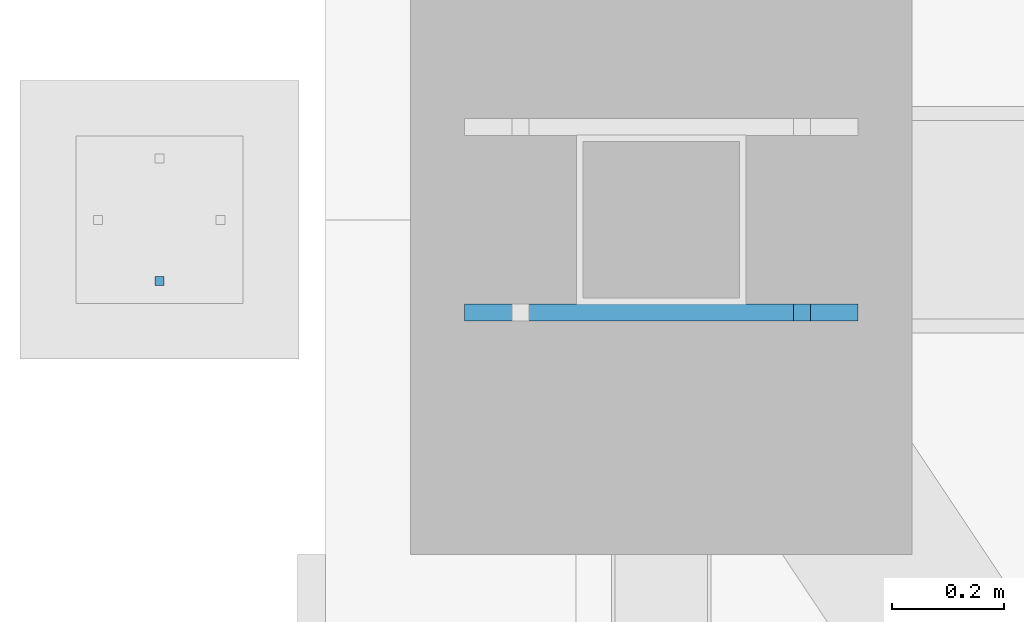
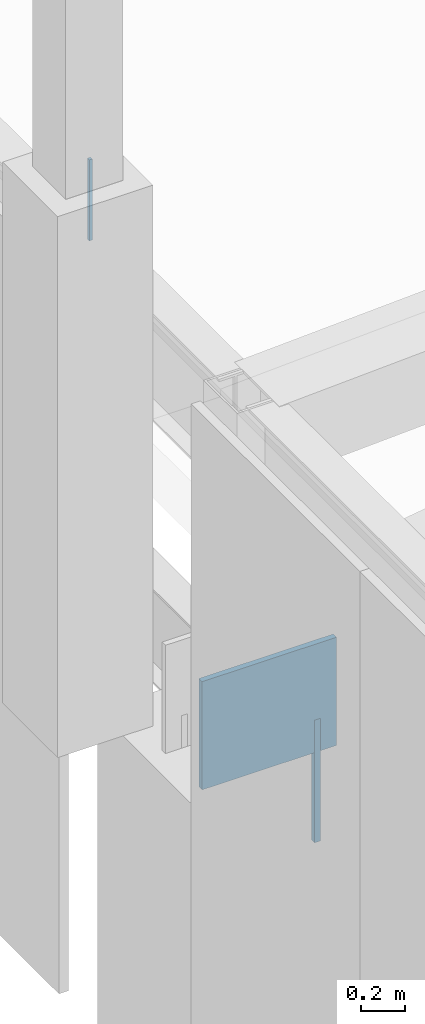
# One storey, part 157 of 278: 2 mechanical fasteners, 1 discrete accessory.
"""IFC4 building model written with IfcOpenShell, lengths in metres."""

from ifc_helpers import new_model, si_unit, direction, frame, origin, origin_2d, place, context, subcontext, project, spatial, rectangle, extrude, material, layer, layer_set, type_object, element, save


model = new_model("IFC4")

# Units and contexts
model_context = context("Model", 3, precision=1e-05, world=origin(), true_north=direction((0.0, 1.0)))
body_context = subcontext(model_context, "Body", "Model", "MODEL_VIEW")
ifc_project = project(units=[si_unit("LENGTHUNIT", "METRE"), si_unit("AREAUNIT", "SQUARE_METRE"), si_unit("VOLUMEUNIT", "CUBIC_METRE"), si_unit("PLANEANGLEUNIT", "RADIAN"), si_unit("MASSUNIT", "GRAM", prefix="KILO")], contexts=[model_context])

# Site, building, storey
site_placement = place(None, origin())
site = spatial("IfcSite", under=ifc_project, at=site_placement, CompositionType="ELEMENT")
building_placement = place(site_placement, origin())
building = spatial("IfcBuilding", under=site, at=building_placement, Name="Ogive Plaza Stadium", CompositionType="ELEMENT")
storey_placement = place(building_placement, frame((0.0, 0.0, 29.0)))
storey = spatial("IfcBuildingStorey", under=building, at=storey_placement, Name="Roof", CompositionType="ELEMENT", Elevation=29.0)

# Mechanical fasteners
ifc_material_1 = material(Name="Steel ASTM A992 Grade 50", Category="steel")
mechanical_fastener_type_1 = type_object("IfcMechanicalFastenerType", Name="Anchor bolt M30 x 600", PredefinedType="ANCHORBOLT", material=ifc_material_1)
mechanical_fastener_1_placement = place(storey_placement, frame((-83.74755859375, -7.66650390625, 3.0), z_axis=(0.0, 0.0, 1.0), x_axis=(-1.0, 0.0, 0.0)))
element("IfcMechanicalFastener", 1, at=mechanical_fastener_1_placement, inside=storey, type_object=mechanical_fastener_type_1, Name="ANCHOR BOLT 24 BF 1.2", PredefinedType="ANCHORBOLT", context=body_context, shape_type="SweptSolid", body=[
    extrude(rectangle(XDim=0.030029296875, YDim=0.030029296875, at=origin_2d()), origin(), (0.0, 0.0, 1.0), 0.679931640625),
])
ifc_material_2 = material(Name="Steel ASTM A992 Grade 50", Category="steel")
mechanical_fastener_type_2 = type_object("IfcMechanicalFastenerType", Name="Spire anchor bolt M16 x 450", PredefinedType="ANCHORBOLT", material=ifc_material_2)
mechanical_fastener_2_placement = place(storey_placement, frame((-84.89990234375, -7.610107421875, 6.7001953125), z_axis=(0.0, 0.0, 1.0), x_axis=(-1.0, 0.0, 0.0)))
element("IfcMechanicalFastener", 2, at=mechanical_fastener_2_placement, inside=storey, type_object=mechanical_fastener_type_2, Name="SPIRE ANCHOR BOLT 24 3", PredefinedType="ANCHORBOLT", context=body_context, shape_type="SweptSolid", body=[
    extrude(rectangle(XDim=0.01611328125, YDim=0.01611328125, at=origin_2d()), origin(), (0.0, 0.0, 1.0), 0.449951171875),
])

# Discrete accessory
ifc_material_3 = material(Name="Steel ASTM A992 Grade 50", Category="steel")
ifc_layer = layer(ifc_material_3, 0.030029296875)
ifc_layer_set = layer_set([ifc_layer], Name="Steel ASTM A992 Grade 50")
discrete_accessory_type = type_object("IfcDiscreteAccessoryType", Name="Truss back-stay foot cleat plate 30", PredefinedType="ANCHORPLATE", material=ifc_layer_set)
discrete_accessory_placement = place(storey_placement, frame((-84.0, -7.66650390625, 3.5), z_axis=(0.0, 0.0, 1.0), x_axis=(-1.0, 0.0, 0.0)))
element("IfcDiscreteAccessory", 3, at=discrete_accessory_placement, inside=storey, type_object=discrete_accessory_type, Name="TRUSS BACK-STAY FOOT CLEAT PLATE 24 1", PredefinedType="ANCHORPLATE", context=body_context, shape_type="SweptSolid", body=[
    extrude(rectangle(XDim=0.704833984375, YDim=0.030029296875, at=origin_2d()), origin(), (0.0, 0.0, 1.0), 0.60009765625),
])

save(model, "model.ifc")
